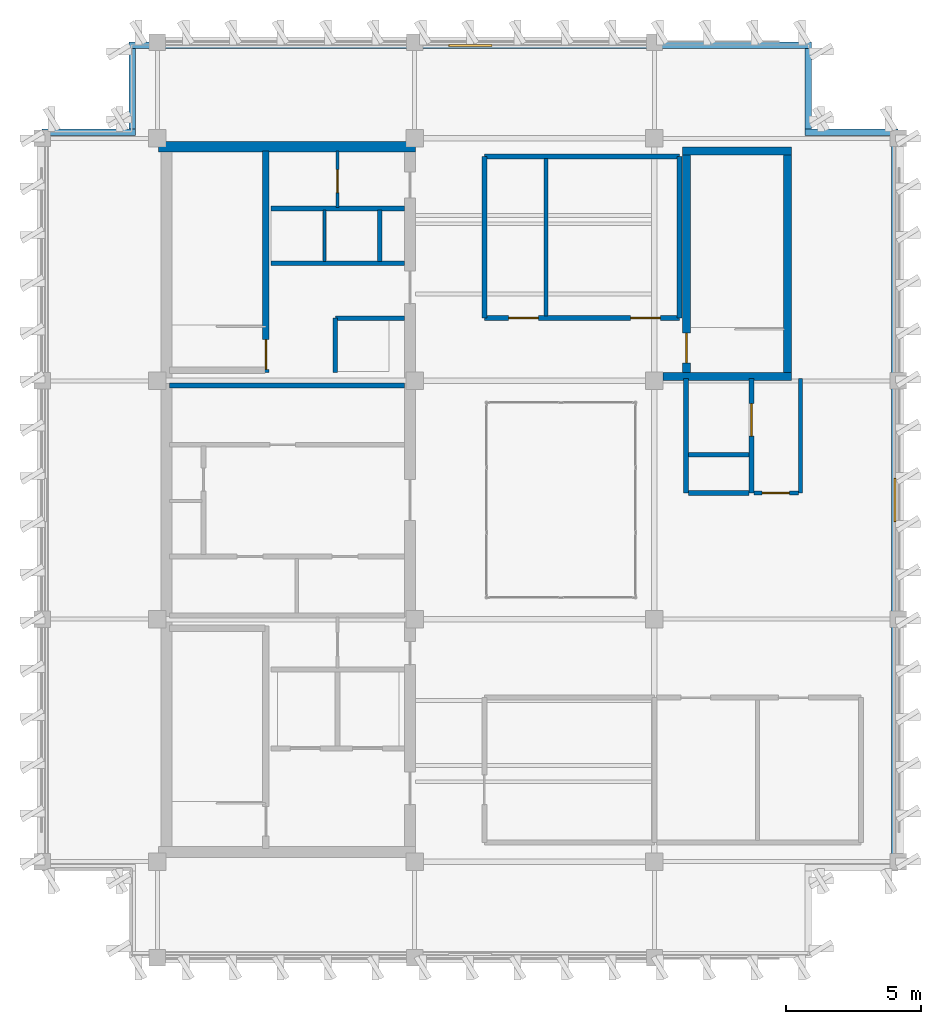
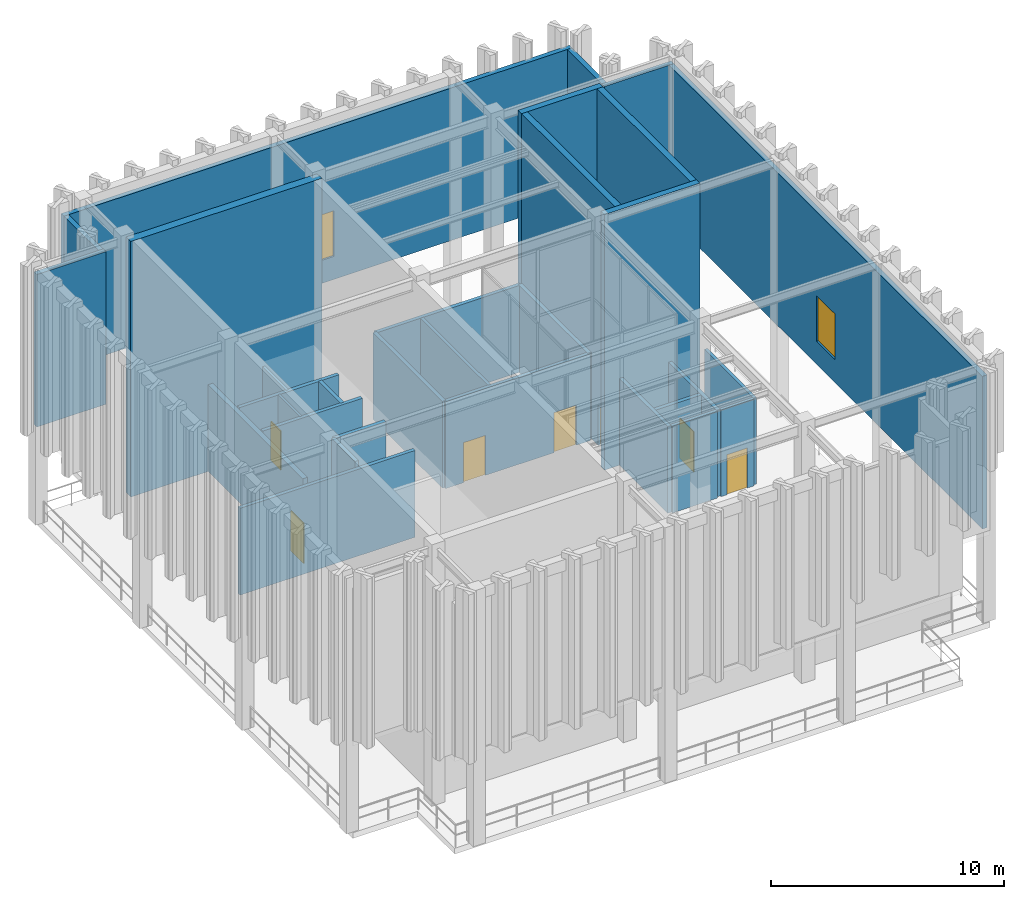
# One storey, part 12 of 15: 31 walls, 7 doors, 2 windows, 9 openings.
"""IFC4 building model written with IfcOpenShell, lengths in metres."""

from ifc_helpers import new_model, si_unit, direction, frame, frame_2d, origin, place, context, subcontext, project, spatial, rectangle, extrude, material, layer, layer_set, type_object, element, fill, save


model = new_model("IFC4")

# Units and contexts
model_context = context("Model", 3, precision=1e-05, world=origin(), true_north=direction((0.0, 1.0)))
body_context = subcontext(model_context, "Body", "Model", "MODEL_VIEW")
ifc_project = project(units=[si_unit("LENGTHUNIT", "METRE"), si_unit("AREAUNIT", "SQUARE_METRE"), si_unit("VOLUMEUNIT", "CUBIC_METRE"), si_unit("PLANEANGLEUNIT", "RADIAN"), si_unit("MASSUNIT", "GRAM", prefix="KILO")], contexts=[model_context])

# Site, building, storey
site_placement = place(None, origin())
site = spatial("IfcSite", under=ifc_project, at=site_placement, CompositionType="ELEMENT")
building_placement = place(site_placement, origin())
building = spatial("IfcBuilding", under=site, at=building_placement, Name="Kundavana Baori Tower", CompositionType="ELEMENT")
storey_placement = place(building_placement, frame((0.0, 0.0, 354.699951171875)))
storey = spatial("IfcBuildingStorey", under=building, at=storey_placement, Name="L88", CompositionType="ELEMENT", Elevation=354.699951171875)

# Wall
ifc_material_1 = material(Name="Concrete C50/60", Category="concrete")
ifc_layer_1 = layer(ifc_material_1, 0.39990234375, Name="WL-CORE-400")
ifc_layer_set_1 = layer_set([ifc_layer_1], Name="Concrete C50/60")
wall_type_1 = type_object("IfcWallType", Name="WL-CORE-400", PredefinedType="SHEAR", material=ifc_layer_set_1)
wall_1_placement = place(storey_placement, frame((15.5, 41.639892578125, 0.0), z_axis=(0.0, 0.0, 1.0), x_axis=(1.0, 0.0, 0.0)))
element("IfcWall", 1, at=wall_1_placement, inside=storey, type_object=wall_type_1, Name="L88 Offset Core North Shear Wall", PredefinedType="SHEAR", context=body_context, shape_type="SweptSolid", body=[
    extrude(rectangle(XDim=9.47998046875, YDim=0.39990234375, at=frame_2d((4.739990234375, 0.0))), origin(), (0.0, 0.0, 1.0), 13.400146484375),
])

# Wall, opening, door
wall_2_placement = place(storey_placement, frame((19.4599609375, 33.300048828125, 0.0), z_axis=(0.0, 0.0, 1.0), x_axis=(0.0, 1.0, 0.0)))
wall_2 = element("IfcWall", 2, at=wall_2_placement, inside=storey, type_object=wall_type_1, Name="WL-L88-ST2-E", PredefinedType="SHEAR", context=body_context, shape_type="SweptSolid", body=[
    extrude(rectangle(XDim=8.179931640625, YDim=0.239990234375, at=frame_2d((4.08984375, 0.0))), origin(), (0.0, 0.0, 1.0), 4.550048828125),
])
opening_1_placement = place(wall_2_placement, frame((0.1201171875, 0.0, 0.0)))
opening_1 = element("IfcOpeningElement", 3, at=opening_1_placement, cuts=wall_2, Name="Opening FD-110", PredefinedType="OPENING", context=body_context, shape_type="SweptSolid", body=[
    extrude(rectangle(XDim=1.10009765625, YDim=2.10009765625, at=frame_2d((0.550048828125, 1.050048828125))), frame((0.0, 0.1298828125, 0.0), z_axis=(0.0, -1.0, 0.0), x_axis=(1.0, 0.0, 0.0)), (0.0, 0.0, 1.0), 0.260009765625),
])
ifc_material_2 = material(Name="Galvanised Steel Fire-Rated Door Leaf", Category="steel")
door_type_1 = type_object("IfcDoorType", Name="DR-FD120-1100", OperationType="NOTDEFINED", PredefinedType="DOOR", material=ifc_material_2)
door_1_placement = place(opening_1_placement, origin())
door_1 = element("IfcDoor", 4, at=door_1_placement, inside=storey, type_object=door_type_1, Name="DR-L88-ST2", OperationType="SINGLE_SWING_RIGHT", OverallHeight=2.10009765625, OverallWidth=1.10009765625, PredefinedType="DOOR", context=body_context, shape_type="SweptSolid", body=[
    extrude(rectangle(XDim=1.10009765625, YDim=2.10009765625, at=frame_2d((0.550048828125, 1.050048828125))), frame((0.0, 0.02490234375, 0.0), z_axis=(0.0, -1.0, 0.0), x_axis=(1.0, 0.0, 0.0)), (0.0, 0.0, 1.0), 0.050048828125),
])
fill(opening_1, door_1)

# Wall, opening, window
ifc_material_3 = material(Name="Red-Buff Dholpur Sandstone Cladding on Concrete C40/50", Category="masonry")
ifc_layer_2 = layer(ifc_material_3, 0.239990234375, Name="WL-EXT-CRN-240")
ifc_layer_set_2 = layer_set([ifc_layer_2], Name="Red-Buff Dholpur Sandstone Cladding on Concrete C40/50")
wall_type_2 = type_object("IfcWallType", Name="WL-EXT-CRN-240", PredefinedType="ELEMENTEDWALL", material=ifc_layer_set_2)
wall_3_placement = place(storey_placement, frame((42.679931640625, 15.139892578125, 4.800048828125), z_axis=(0.0, 0.0, 1.0), x_axis=(0.0, 1.0, 0.0)))
wall_3 = element("IfcWall", 5, at=wall_3_placement, inside=storey, type_object=wall_type_2, Name="L88 Stepped Crown Dholpur Stone Louvre Screen Wall 04", PredefinedType="ELEMENTEDWALL", context=body_context, shape_type="SweptSolid", body=[
    extrude(rectangle(XDim=26.920166015625, YDim=0.239990234375, at=frame_2d((13.4599609375, 0.0))), origin(), (0.0, 0.0, 1.0), 8.0),
])
opening_2_placement = place(wall_3_placement, frame((12.659912109375, 0.0, 1.199951171875)))
opening_2 = element("IfcOpeningElement", 6, at=opening_2_placement, cuts=wall_3, Name="Opening W-06", PredefinedType="OPENING", context=body_context, shape_type="SweptSolid", body=[
    extrude(rectangle(XDim=1.60009765625, YDim=2.39990234375, at=frame_2d((0.800048828125, 1.199951171875))), frame((0.0, 0.1298828125, 0.0), z_axis=(0.0, -1.0, 0.0), x_axis=(1.0, 0.0, 0.0)), (0.0, 0.0, 1.0), 0.260009765625),
])
ifc_material_4 = material(Name="Double-Glazed Solar-Control Low-E Insulated Glass", Category="glass")
window_type = type_object("IfcWindowType", Name="WIN-CRN-1600x2400", PartitioningType="SINGLE_PANEL", PredefinedType="WINDOW", material=ifc_material_4)
window_1_placement = place(opening_2_placement, origin())
window_1 = element("IfcWindow", 7, at=window_1_placement, inside=storey, type_object=window_type, Name="L88 Crown Clerestory Window 04", OverallHeight=2.39990234375, OverallWidth=1.60009765625, PartitioningType="SINGLE_PANEL", PredefinedType="WINDOW", context=body_context, shape_type="SweptSolid", body=[
    extrude(rectangle(XDim=1.60009765625, YDim=2.39990234375, at=frame_2d((0.800048828125, 1.199951171875))), frame((0.0, 0.030029296875, 0.0), z_axis=(0.0, -1.0, 0.0), x_axis=(1.0, 0.0, 0.0)), (0.0, 0.0, 1.0), 0.06005859375),
])
fill(opening_2, window_1)

# Walls
wall_4_placement = place(storey_placement, frame((42.800048828125, 42.179931640625, 4.800048828125), z_axis=(0.0, 0.0, 1.0), x_axis=(-1.0, 0.0, 0.0)))
element("IfcWall", 8, at=wall_4_placement, inside=storey, type_object=wall_type_2, Name="L88 Stepped Crown Dholpur Stone Louvre Screen Wall 05", PredefinedType="ELEMENTEDWALL", context=body_context, shape_type="SweptSolid", body=[
    extrude(rectangle(XDim=3.43994140625, YDim=0.239990234375, at=frame_2d((1.719970703125, 0.0))), origin(), (0.0, 0.0, 1.0), 8.0),
])
wall_5_placement = place(storey_placement, frame((39.47998046875, 42.300048828125, 4.800048828125), z_axis=(0.0, 0.0, 1.0), x_axis=(0.0, 1.0, 0.0)))
element("IfcWall", 9, at=wall_5_placement, inside=storey, type_object=wall_type_2, Name="L88 Stepped Crown Dholpur Stone Louvre Screen Wall 06", PredefinedType="ELEMENTEDWALL", context=body_context, shape_type="SweptSolid", body=[
    extrude(rectangle(XDim=2.9599609375, YDim=0.239990234375, at=frame_2d((1.47998046875, 0.0))), origin(), (0.0, 0.0, 1.0), 8.0),
])

# Wall, opening, window
wall_6_placement = place(storey_placement, frame((39.60009765625, 45.3798828125, 4.800048828125), z_axis=(0.0, 0.0, 1.0), x_axis=(-1.0, 0.0, 0.0)))
wall_6 = element("IfcWall", 10, at=wall_6_placement, inside=storey, type_object=wall_type_2, Name="L88 Stepped Crown Dholpur Stone Louvre Screen Wall 07", PredefinedType="ELEMENTEDWALL", context=body_context, shape_type="SweptSolid", body=[
    extrude(rectangle(XDim=25.2001953125, YDim=0.239990234375, at=frame_2d((12.60009765625, 0.0))), origin(), (0.0, 0.0, 1.0), 8.0),
])
opening_3_placement = place(wall_6_placement, frame((11.800048828125, 0.0, 1.199951171875)))
opening_3 = element("IfcOpeningElement", 11, at=opening_3_placement, cuts=wall_6, Name="Opening W-06", PredefinedType="OPENING", context=body_context, shape_type="SweptSolid", body=[
    extrude(rectangle(XDim=1.60009765625, YDim=2.39990234375, at=frame_2d((0.800048828125, 1.199951171875))), frame((0.0, 0.1298828125, 0.0), z_axis=(0.0, -1.0, 0.0), x_axis=(1.0, 0.0, 0.0)), (0.0, 0.0, 1.0), 0.260009765625),
])
window_2_placement = place(opening_3_placement, origin())
window_2 = element("IfcWindow", 12, at=window_2_placement, inside=storey, type_object=window_type, Name="L88 Crown Clerestory Window 07", OverallHeight=2.39990234375, OverallWidth=1.60009765625, PartitioningType="SINGLE_PANEL", PredefinedType="WINDOW", context=body_context, shape_type="SweptSolid", body=[
    extrude(rectangle(XDim=1.60009765625, YDim=2.39990234375, at=frame_2d((0.800048828125, 1.199951171875))), frame((0.0, 0.030029296875, 0.0), z_axis=(0.0, -1.0, 0.0), x_axis=(1.0, 0.0, 0.0)), (0.0, 0.0, 1.0), 0.06005859375),
])
fill(opening_3, window_2)

# Walls
wall_7_placement = place(storey_placement, frame((14.52001953125, 45.260009765625, 4.800048828125), z_axis=(0.0, 0.0, 1.0), x_axis=(0.0, -1.0, 0.0)))
element("IfcWall", 13, at=wall_7_placement, inside=storey, type_object=wall_type_2, Name="L88 Stepped Crown Dholpur Stone Louvre Screen Wall 08", PredefinedType="ELEMENTEDWALL", context=body_context, shape_type="SweptSolid", body=[
    extrude(rectangle(XDim=2.9599609375, YDim=0.239990234375, at=frame_2d((1.47998046875, 0.0))), origin(), (0.0, 0.0, 1.0), 8.0),
])
wall_8_placement = place(storey_placement, frame((14.639892578125, 42.179931640625, 4.800048828125), z_axis=(0.0, 0.0, 1.0), x_axis=(-1.0, 0.0, 0.0)))
element("IfcWall", 14, at=wall_8_placement, inside=storey, type_object=wall_type_2, Name="L88 Stepped Crown Dholpur Stone Louvre Screen Wall 09", PredefinedType="ELEMENTEDWALL", context=body_context, shape_type="SweptSolid", body=[
    extrude(rectangle(XDim=3.43994140625, YDim=0.239990234375, at=frame_2d((1.719970703125, 0.0))), origin(), (0.0, 0.0, 1.0), 8.0),
])
ifc_material_5 = material(Name="Acoustic Gypsum Plasterboard on Galvanised Steel Studs", Category="steel")
ifc_layer_3 = layer(ifc_material_5, 0.1201171875, Name="WL-PART-120")
ifc_layer_set_3 = layer_set([ifc_layer_3], Name="Acoustic Gypsum Plasterboard on Galvanised Steel Studs")
wall_type_3 = type_object("IfcWallType", Name="WL-PART-120", PredefinedType="PARTITIONING", material=ifc_layer_set_3)
wall_9_placement = place(storey_placement, frame((21.6201171875, 37.39990234375, 0.0), z_axis=(0.0, 0.0, 1.0), x_axis=(0.0, 1.0, 0.0)))
element("IfcWall", 15, at=wall_9_placement, inside=storey, type_object=wall_type_3, Name="WL-L88-HR-DIV1", PredefinedType="PARTITIONING", context=body_context, shape_type="SweptSolid", body=[
    extrude(rectangle(XDim=1.900146484375, YDim=0.1201171875, at=frame_2d((0.9501953125, 0.0))), origin(), (0.0, 0.0, 1.0), 4.550048828125),
])

# Wall, opening, door
wall_10_placement = place(storey_placement, frame((22.10009765625, 39.39990234375, 0.0), z_axis=(0.0, 0.0, 1.0), x_axis=(0.0, 1.0, 0.0)))
wall_10 = element("IfcWall", 16, at=wall_10_placement, inside=storey, type_object=wall_type_3, Name="WL-L88-CSRV-D1", PredefinedType="PARTITIONING", context=body_context, shape_type="SweptSolid", body=[
    extrude(rectangle(XDim=2.080078125, YDim=0.1201171875, at=frame_2d((1.0400390625, 0.0))), origin(), (0.0, 0.0, 1.0), 4.550048828125),
])
opening_4_placement = place(wall_10_placement, frame((0.550048828125, 0.0, 0.0)))
opening_4 = element("IfcOpeningElement", 17, at=opening_4_placement, cuts=wall_10, Name="Opening FD-085", PredefinedType="OPENING", context=body_context, shape_type="SweptSolid", body=[
    extrude(rectangle(XDim=0.85009765625, YDim=2.06005859375, at=frame_2d((0.425048828125, 1.030029296875))), frame((0.0, 0.070068359375, 0.0), z_axis=(0.0, -1.0, 0.0), x_axis=(1.0, 0.0, 0.0)), (0.0, 0.0, 1.0), 0.14013671875),
])
ifc_material_6 = material(Name="Galvanised Steel Fire-Rated Door Leaf", Category="steel")
door_type_2 = type_object("IfcDoorType", Name="DR-FD60-850", OperationType="NOTDEFINED", PredefinedType="DOOR", material=ifc_material_6)
door_2_placement = place(opening_4_placement, origin())
door_2 = element("IfcDoor", 18, at=door_2_placement, inside=storey, type_object=door_type_2, Name="DR-L88-CSRV1", OperationType="SINGLE_SWING_LEFT", OverallHeight=2.06005859375, OverallWidth=0.85009765625, PredefinedType="DOOR", context=body_context, shape_type="SweptSolid", body=[
    extrude(rectangle(XDim=0.85009765625, YDim=2.06005859375, at=frame_2d((0.425048828125, 1.030029296875))), frame((0.0, 0.02490234375, 0.0), z_axis=(0.0, -1.0, 0.0), x_axis=(1.0, 0.0, 0.0)), (0.0, 0.0, 1.0), 0.050048828125),
])
fill(opening_4, door_2)

# Wall
ifc_material_7 = material(Name="Fire-Rated Gypsum Drywall on Galvanised Steel Studs", Category="steel")
ifc_layer_4 = layer(ifc_material_7, 0.14990234375, Name="WL-PART-150")
ifc_layer_set_4 = layer_set([ifc_layer_4], Name="Fire-Rated Gypsum Drywall on Galvanised Steel Studs")
wall_type_4 = type_object("IfcWallType", Name="WL-PART-150", PredefinedType="PARTITIONING", material=ifc_layer_set_4)
wall_11_placement = place(storey_placement, frame((39.199951171875, 28.860107421875, 0.0), z_axis=(0.0, 0.0, 1.0), x_axis=(0.0, 1.0, 0.0)))
element("IfcWall", 19, at=wall_11_placement, inside=storey, type_object=wall_type_4, Name="WL-L88-SVLOB-E", PredefinedType="PARTITIONING", context=body_context, shape_type="SweptSolid", body=[
    extrude(rectangle(XDim=4.219970703125, YDim=0.14990234375, at=frame_2d((2.10986328125, 0.0))), origin(), (0.0, 0.0, 1.0), 4.550048828125),
])

# Wall, opening, door
wall_12_placement = place(storey_placement, frame((37.47998046875, 28.860107421875, 0.0), z_axis=(0.0, 0.0, 1.0), x_axis=(1.0, 0.0, 0.0)))
wall_12 = element("IfcWall", 20, at=wall_12_placement, inside=storey, type_object=wall_type_4, Name="WL-L88-SVLOB-S", PredefinedType="PARTITIONING", context=body_context, shape_type="SweptSolid", body=[
    extrude(rectangle(XDim=1.64013671875, YDim=0.14990234375, at=frame_2d((0.820068359375, 0.0))), origin(), (0.0, 0.0, 1.0), 4.550048828125),
])
opening_5_placement = place(wall_12_placement, frame((0.300048828125, 0.0, 0.0)))
opening_5 = element("IfcOpeningElement", 21, at=opening_5_placement, cuts=wall_12, Name="Opening FD-100", PredefinedType="OPENING", context=body_context, shape_type="SweptSolid", body=[
    extrude(rectangle(XDim=1.0, YDim=2.10009765625, at=frame_2d((0.5, 1.050048828125))), frame((0.0, 0.0849609375, 0.0), z_axis=(0.0, -1.0, 0.0), x_axis=(1.0, 0.0, 0.0)), (0.0, 0.0, 1.0), 0.169921875),
])
ifc_material_8 = material(Name="Engineered Teak Fire-Rated Timber Door Leaf", Category="wood")
door_type_3 = type_object("IfcDoorType", Name="DR-FD60-1000", OperationType="NOTDEFINED", PredefinedType="DOOR", material=ifc_material_8)
door_3_placement = place(opening_5_placement, origin())
door_3 = element("IfcDoor", 22, at=door_3_placement, inside=storey, type_object=door_type_3, Name="DR-L88-SVLOB-OUT", OperationType="SINGLE_SWING_LEFT", OverallHeight=2.10009765625, OverallWidth=1.0, PredefinedType="DOOR", context=body_context, shape_type="SweptSolid", body=[
    extrude(rectangle(XDim=1.0, YDim=2.10009765625, at=frame_2d((0.5, 1.050048828125))), frame((0.0, 0.02490234375, 0.0), z_axis=(0.0, -1.0, 0.0), x_axis=(1.0, 0.0, 0.0)), (0.0, 0.0, 1.0), 0.050048828125),
])
fill(opening_5, door_3)

# Wall
wall_13_placement = place(storey_placement, frame((29.800048828125, 35.39990234375, 0.0), z_axis=(0.0, 0.0, 1.0), x_axis=(0.0, 1.0, 0.0)))
element("IfcWall", 23, at=wall_13_placement, inside=storey, type_object=wall_type_4, Name="WL-L88-PLD2", PredefinedType="PARTITIONING", context=body_context, shape_type="SweptSolid", body=[
    extrude(rectangle(XDim=5.800048828125, YDim=0.14990234375, at=frame_2d((2.89990234375, 0.0))), origin(), (0.0, 0.0, 1.0), 4.550048828125),
])

# Wall, openings, doors
ifc_material_9 = material(Name="Autoclaved Aerated Concrete Blockwork Masonry", Category="masonry")
ifc_layer_5 = layer(ifc_material_9, 0.18505859375, Name="WL-PART-180")
ifc_layer_set_5 = layer_set([ifc_layer_5], Name="Autoclaved Aerated Concrete Blockwork Masonry")
wall_type_5 = type_object("IfcWallType", Name="WL-PART-180", PredefinedType="SOLIDWALL", material=ifc_layer_set_5)
wall_14_placement = place(storey_placement, frame((27.52001953125, 35.320068359375, 0.0), z_axis=(0.0, 0.0, 1.0), x_axis=(1.0, 0.0, 0.0)))
wall_14 = element("IfcWall", 24, at=wall_14_placement, inside=storey, type_object=wall_type_5, Name="WL-L88-PLN", PredefinedType="SOLIDWALL", context=body_context, shape_type="SweptSolid", body=[
    extrude(rectangle(XDim=7.199951171875, YDim=0.18505859375, at=frame_2d((3.60009765625, 0.0))), origin(), (0.0, 0.0, 1.0), 4.550048828125),
])
opening_6_placement = place(wall_14_placement, frame((0.89990234375, 0.0, 0.0)))
opening_6 = element("IfcOpeningElement", 25, at=opening_6_placement, cuts=wall_14, Name="Opening FD-110", PredefinedType="OPENING", context=body_context, shape_type="SweptSolid", body=[
    extrude(rectangle(XDim=1.10009765625, YDim=2.10009765625, at=frame_2d((0.550048828125, 1.050048828125))), frame((0.0, 0.1025390625, 0.0), z_axis=(0.0, -1.0, 0.0), x_axis=(1.0, 0.0, 0.0)), (0.0, 0.0, 1.0), 0.205078125),
])
opening_7_placement = place(wall_14_placement, frame((5.39990234375, 0.0, 0.0)))
opening_7 = element("IfcOpeningElement", 26, at=opening_7_placement, cuts=wall_14, Name="Opening FD-110", PredefinedType="OPENING", context=body_context, shape_type="SweptSolid", body=[
    extrude(rectangle(XDim=1.10009765625, YDim=2.10009765625, at=frame_2d((0.550048828125, 1.050048828125))), frame((0.0, 0.1025390625, 0.0), z_axis=(0.0, -1.0, 0.0), x_axis=(1.0, 0.0, 0.0)), (0.0, 0.0, 1.0), 0.205078125),
])
door_4_placement = place(opening_6_placement, origin())
door_4 = element("IfcDoor", 27, at=door_4_placement, inside=storey, type_object=door_type_1, Name="DR-L88-PL4", OperationType="SINGLE_SWING_RIGHT", OverallHeight=2.10009765625, OverallWidth=1.10009765625, PredefinedType="DOOR", context=body_context, shape_type="SweptSolid", body=[
    extrude(rectangle(XDim=1.10009765625, YDim=2.10009765625, at=frame_2d((0.550048828125, 1.050048828125))), frame((0.0, 0.02490234375, 0.0), z_axis=(0.0, -1.0, 0.0), x_axis=(1.0, 0.0, 0.0)), (0.0, 0.0, 1.0), 0.050048828125),
])
fill(opening_6, door_4)
door_5_placement = place(opening_7_placement, origin())
door_5 = element("IfcDoor", 28, at=door_5_placement, inside=storey, type_object=door_type_1, Name="DR-L88-PL5", OperationType="SINGLE_SWING_LEFT", OverallHeight=2.10009765625, OverallWidth=1.10009765625, PredefinedType="DOOR", context=body_context, shape_type="SweptSolid", body=[
    extrude(rectangle(XDim=1.10009765625, YDim=2.10009765625, at=frame_2d((0.550048828125, 1.050048828125))), frame((0.0, 0.02490234375, 0.0), z_axis=(0.0, -1.0, 0.0), x_axis=(1.0, 0.0, 0.0)), (0.0, 0.0, 1.0), 0.050048828125),
])
fill(opening_7, door_5)

# Walls
wall_15_placement = place(storey_placement, frame((27.52001953125, 41.280029296875, 0.0), z_axis=(0.0, 0.0, 1.0), x_axis=(1.0, 0.0, 0.0)))
element("IfcWall", 29, at=wall_15_placement, inside=storey, type_object=wall_type_5, Name="WL-L88-PLNT", PredefinedType="SOLIDWALL", context=body_context, shape_type="SweptSolid", body=[
    extrude(rectangle(XDim=7.199951171875, YDim=0.18505859375, at=frame_2d((3.60009765625, 0.0))), origin(), (0.0, 0.0, 1.0), 4.550048828125),
])
for number, where, z_axis, x_axis, name in (
    (30, (27.52001953125, 35.320068359375, 0.0), (0.0, 0.0, 1.0), (0.0, 1.0, 0.0), "WL-L88-PLNW"),
    (31, (34.719970703125, 35.320068359375, 0.0), (0.0, 0.0, 1.0), (0.0, 1.0, 0.0), "WL-L88-PLNE"),
):
    element("IfcWall", number, at=place(storey_placement, frame(where, z_axis=z_axis, x_axis=x_axis)), inside=storey, type_object=wall_type_5, Name=name, PredefinedType="SOLIDWALL", context=body_context, shape_type="SweptSolid", body=[
        extrude(rectangle(XDim=5.9599609375, YDim=0.18505859375, at=frame_2d((2.97998046875, 0.0))), origin(), (0.0, 0.0, 1.0), 4.550048828125),
    ])
ifc_material_10 = material(Name="Autoclaved Aerated Concrete Blockwork Masonry", Category="masonry")
ifc_layer_6 = layer(ifc_material_10, 0.179931640625, Name="WL-SHAFT-180")
ifc_layer_set_6 = layer_set([ifc_layer_6], Name="Autoclaved Aerated Concrete Blockwork Masonry")
wall_type_6 = type_object("IfcWallType", Name="WL-SHAFT-180", PredefinedType="SOLIDWALL", material=ifc_layer_set_6)
wall_16_placement = place(storey_placement, frame((15.89990234375, 32.820068359375, 0.0), z_axis=(0.0, 0.0, 1.0), x_axis=(1.0, 0.0, 0.0)))
element("IfcWall", 32, at=wall_16_placement, inside=storey, type_object=wall_type_6, Name="WL-L88-LPMID-N", PredefinedType="SOLIDWALL", context=body_context, shape_type="SweptSolid", body=[
    extrude(rectangle(XDim=8.68017578125, YDim=0.179931640625, at=frame_2d((4.340087890625, 0.0))), origin(), (0.0, 0.0, 1.0), 4.550048828125),
])
wall_17_placement = place(storey_placement, frame((22.02001953125, 35.31005859375, 0.0), z_axis=(0.0, 0.0, 1.0), x_axis=(1.0, 0.0, 0.0)))
element("IfcWall", 33, at=wall_17_placement, inside=storey, type_object=wall_type_6, Name="WL-L88-LP11-N", PredefinedType="SOLIDWALL", context=body_context, shape_type="SweptSolid", body=[
    extrude(rectangle(XDim=2.56005859375, YDim=0.179931640625, at=frame_2d((1.280029296875, 0.0))), origin(), (0.0, 0.0, 1.0), 4.550048828125),
])
wall_18_placement = place(storey_placement, frame((22.02001953125, 33.300048828125, 0.0), z_axis=(0.0, 0.0, 1.0), x_axis=(0.0, 1.0, 0.0)))
element("IfcWall", 34, at=wall_18_placement, inside=storey, type_object=wall_type_6, Name="WL-L88-LP11-W", PredefinedType="SOLIDWALL", context=body_context, shape_type="SweptSolid", body=[
    extrude(rectangle(XDim=2.010009765625, YDim=0.179931640625, at=frame_2d((1.0048828125, 0.0))), origin(), (0.0, 0.0, 1.0), 4.550048828125),
])
for number, where, z_axis, x_axis, name in (
    (35, (19.639892578125, 37.340087890625, 0.0), (0.0, 0.0, 1.0), (1.0, 0.0, 0.0), "WL-L88-HRLOB-N"),
    (36, (19.639892578125, 39.360107421875, 0.0), (0.0, 0.0, 1.0), (1.0, 0.0, 0.0), "WL-L88-HRLOB-TOP"),
):
    element("IfcWall", number, at=place(storey_placement, frame(where, z_axis=z_axis, x_axis=x_axis)), inside=storey, type_object=wall_type_6, Name=name, PredefinedType="SOLIDWALL", context=body_context, shape_type="SweptSolid", body=[
        extrude(rectangle(XDim=4.940185546875, YDim=0.179931640625, at=frame_2d((2.47021484375, 0.0))), origin(), (0.0, 0.0, 1.0), 4.550048828125),
    ])
wall_19_placement = place(storey_placement, frame((23.659912109375, 37.39990234375, 0.0), z_axis=(0.0, 0.0, 1.0), x_axis=(0.0, 1.0, 0.0)))
element("IfcWall", 37, at=wall_19_placement, inside=storey, type_object=wall_type_6, Name="WL-L88-HR-DIV2", PredefinedType="SOLIDWALL", context=body_context, shape_type="SweptSolid", body=[
    extrude(rectangle(XDim=1.900146484375, YDim=0.179931640625, at=frame_2d((0.9501953125, 0.0))), origin(), (0.0, 0.0, 1.0), 4.550048828125),
])
wall_20_placement = place(storey_placement, frame((34.9599609375, 28.860107421875, 0.0), z_axis=(0.0, 0.0, 1.0), x_axis=(0.0, 1.0, 0.0)))
element("IfcWall", 38, at=wall_20_placement, inside=storey, type_object=wall_type_6, Name="WL-L88-SVL-W", PredefinedType="SOLIDWALL", context=body_context, shape_type="SweptSolid", body=[
    extrude(rectangle(XDim=4.219970703125, YDim=0.179931640625, at=frame_2d((2.10986328125, 0.0))), origin(), (0.0, 0.0, 1.0), 4.550048828125),
])

# Wall, opening, door
wall_21_placement = place(storey_placement, frame((37.389892578125, 28.860107421875, 0.0), z_axis=(0.0, 0.0, 1.0), x_axis=(0.0, 1.0, 0.0)))
wall_21 = element("IfcWall", 39, at=wall_21_placement, inside=storey, type_object=wall_type_6, Name="WL-L88-SVL-E", PredefinedType="SOLIDWALL", context=body_context, shape_type="SweptSolid", body=[
    extrude(rectangle(XDim=4.219970703125, YDim=0.179931640625, at=frame_2d((2.10986328125, 0.0))), origin(), (0.0, 0.0, 1.0), 4.550048828125),
])
opening_8_placement = place(wall_21_placement, frame((2.10009765625, 0.0, 0.0)))
opening_8 = element("IfcOpeningElement", 40, at=opening_8_placement, cuts=wall_21, Name="Opening LD-120", PredefinedType="OPENING", context=body_context, shape_type="SweptSolid", body=[
    extrude(rectangle(XDim=1.199951171875, YDim=2.1201171875, at=frame_2d((0.60009765625, 1.06005859375))), frame((0.0, 0.10009765625, 0.0), z_axis=(0.0, -1.0, 0.0), x_axis=(1.0, 0.0, 0.0)), (0.0, 0.0, 1.0), 0.199951171875),
])
ifc_material_11 = material(Name="Galvanised Steel Fire-Rated Door Leaf", Category="steel")
door_type_4 = type_object("IfcDoorType", Name="DR-SLIDE-LD1200", OperationType="NOTDEFINED", PredefinedType="DOOR", material=ifc_material_11)
door_6_placement = place(opening_8_placement, frame((1.199951171875, 0.0, 0.0), z_axis=(0.0, 0.0, 1.0), x_axis=(-1.0, 0.0, 0.0)))
door_6 = element("IfcDoor", 41, at=door_6_placement, inside=storey, type_object=door_type_4, Name="DR-L88-LD-SVL1", OperationType="DOUBLE_DOOR_SLIDING", OverallHeight=2.1201171875, OverallWidth=1.199951171875, PredefinedType="DOOR", context=body_context, shape_type="SweptSolid", body=[
    extrude(rectangle(XDim=1.199951171875, YDim=2.1201171875, at=frame_2d((0.60009765625, 1.06005859375))), frame((0.0, 0.02490234375, 0.0), z_axis=(0.0, -1.0, 0.0), x_axis=(1.0, 0.0, 0.0)), (0.0, 0.0, 1.0), 0.050048828125),
])
fill(opening_8, door_6)

# Walls
for number, where, z_axis, x_axis, name in (
    (42, (35.050048828125, 28.860107421875, 0.0), (0.0, 0.0, 1.0), (1.0, 0.0, 0.0), "WL-L88-SVL-S"),
    (43, (35.050048828125, 30.27001953125, 0.0), (0.0, 0.0, 1.0), (1.0, 0.0, 0.0), "WL-L88-SVL-M"),
):
    element("IfcWall", number, at=place(storey_placement, frame(where, z_axis=z_axis, x_axis=x_axis)), inside=storey, type_object=wall_type_6, Name=name, PredefinedType="SOLIDWALL", context=body_context, shape_type="SweptSolid", body=[
        extrude(rectangle(XDim=2.25, YDim=0.179931640625, at=frame_2d((1.125, 0.0))), origin(), (0.0, 0.0, 1.0), 4.550048828125),
    ])
ifc_material_12 = material(Name="Concrete C50/60", Category="concrete")
ifc_layer_7 = layer(ifc_material_12, 0.300048828125, Name="WL-ST3-300")
ifc_layer_set_7 = layer_set([ifc_layer_7], Name="Concrete C50/60")
wall_type_7 = type_object("IfcWallType", Name="WL-ST3-300", PredefinedType="SHEAR", material=ifc_layer_set_7)
wall_22_placement = place(storey_placement, frame((34.125, 33.159912109375, 0.0), z_axis=(0.0, 0.0, 1.0), x_axis=(1.0, 0.0, 0.0)))
element("IfcWall", 44, at=wall_22_placement, inside=storey, type_object=wall_type_7, Name="L88 Stair ST3 South Shear Wall", PredefinedType="SHEAR", context=body_context, shape_type="SweptSolid", body=[
    extrude(rectangle(XDim=4.7451171875, YDim=0.300048828125, at=frame_2d((2.37255859375, 0.0))), origin(), (0.0, 0.0, 1.0), 13.400146484375),
])
wall_23_placement = place(storey_placement, frame((34.830078125, 41.489990234375, 0.0), z_axis=(0.0, 0.0, 1.0), x_axis=(1.0, 0.0, 0.0)))
element("IfcWall", 45, at=wall_23_placement, inside=storey, type_object=wall_type_7, Name="L88 Stair ST3 North Shear Wall", PredefinedType="SHEAR", context=body_context, shape_type="SweptSolid", body=[
    extrude(rectangle(XDim=4.0400390625, YDim=0.300048828125, at=frame_2d((2.02001953125, 0.0))), origin(), (0.0, 0.0, 1.0), 13.400146484375),
])

# Wall, opening, door
wall_24_placement = place(storey_placement, frame((34.97998046875, 33.31005859375, 0.0), z_axis=(0.0, 0.0, 1.0), x_axis=(0.0, 1.0, 0.0)))
wall_24 = element("IfcWall", 46, at=wall_24_placement, inside=storey, type_object=wall_type_7, Name="L88 Stair ST3 West Shear Wall", PredefinedType="SHEAR", context=body_context, shape_type="SweptSolid", body=[
    extrude(rectangle(XDim=8.030029296875, YDim=0.300048828125, at=frame_2d((4.01513671875, 0.0))), origin(), (0.0, 0.0, 1.0), 13.400146484375),
])
opening_9_placement = place(wall_24_placement, frame((0.35009765625, 0.0, 0.0)))
opening_9 = element("IfcOpeningElement", 47, at=opening_9_placement, cuts=wall_24, Name="Opening FD-110", PredefinedType="OPENING", context=body_context, shape_type="SweptSolid", body=[
    extrude(rectangle(XDim=1.10009765625, YDim=2.10009765625, at=frame_2d((0.550048828125, 1.050048828125))), frame((0.0, 0.16015625, 0.0), z_axis=(0.0, -1.0, 0.0), x_axis=(1.0, 0.0, 0.0)), (0.0, 0.0, 1.0), 0.320068359375),
])
door_7_placement = place(opening_9_placement, origin())
door_7 = element("IfcDoor", 48, at=door_7_placement, inside=storey, type_object=door_type_1, Name="DR-L88-ST3-W", OperationType="SINGLE_SWING_LEFT", OverallHeight=2.10009765625, OverallWidth=1.10009765625, PredefinedType="DOOR", context=body_context, shape_type="SweptSolid", body=[
    extrude(rectangle(XDim=1.10009765625, YDim=2.10009765625, at=frame_2d((0.550048828125, 1.050048828125))), frame((0.0, 0.02490234375, 0.0), z_axis=(0.0, -1.0, 0.0), x_axis=(1.0, 0.0, 0.0)), (0.0, 0.0, 1.0), 0.050048828125),
])
fill(opening_9, door_7)

# Wall
wall_25_placement = place(storey_placement, frame((38.719970703125, 33.31005859375, 0.0), z_axis=(0.0, 0.0, 1.0), x_axis=(0.0, 1.0, 0.0)))
element("IfcWall", 49, at=wall_25_placement, inside=storey, type_object=wall_type_7, Name="L88 Stair ST3 East Shear Wall", PredefinedType="SHEAR", context=body_context, shape_type="SweptSolid", body=[
    extrude(rectangle(XDim=8.030029296875, YDim=0.300048828125, at=frame_2d((4.01513671875, 0.0))), origin(), (0.0, 0.0, 1.0), 13.400146484375),
])

save(model, "model.ifc")
